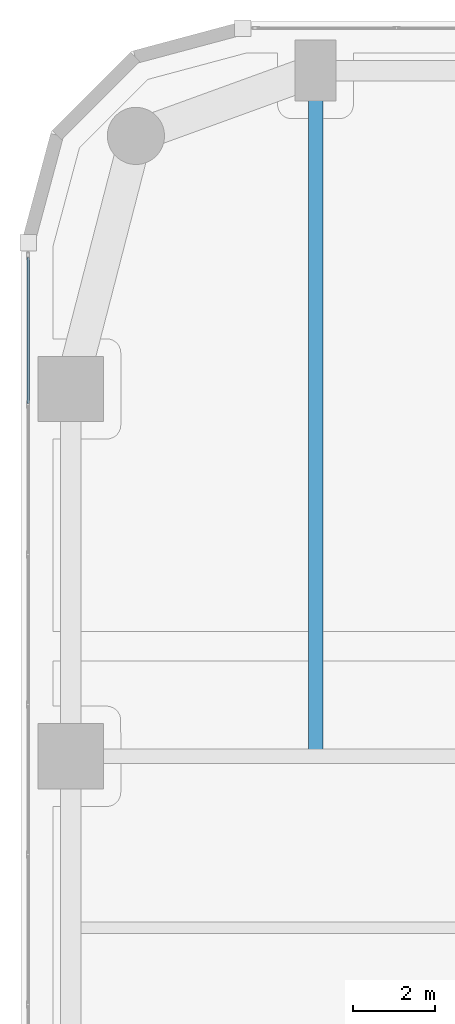
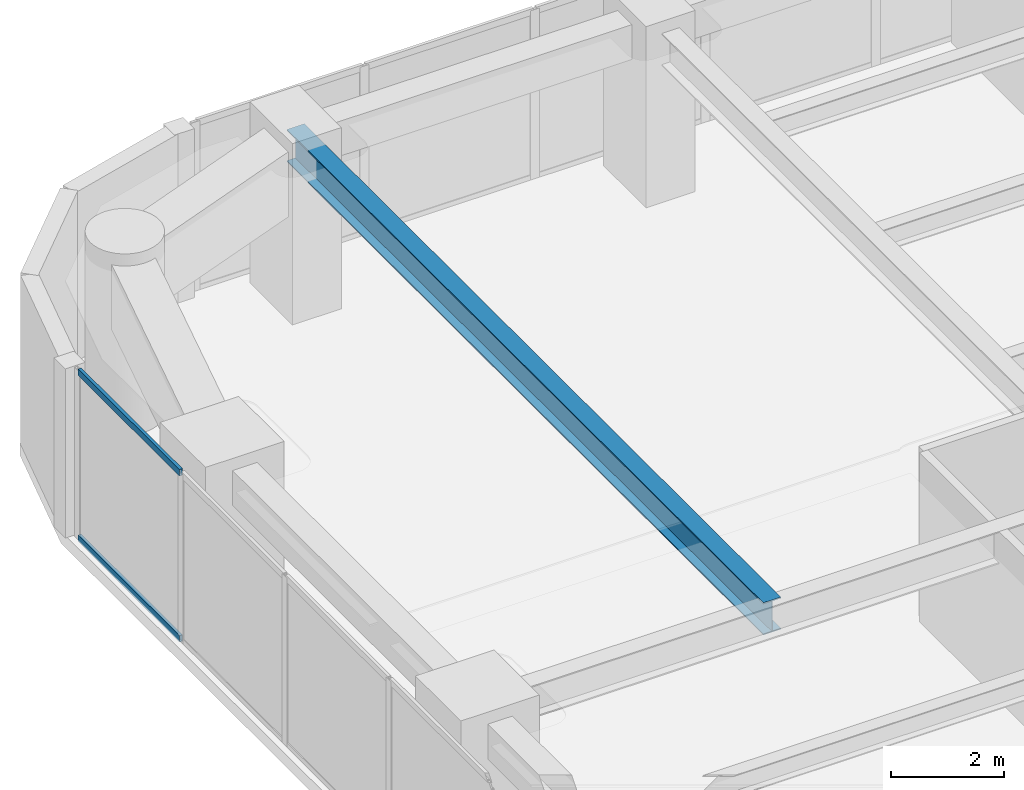
# One storey, part 13 of 29: 2 members, 1 beam, 1 element without a shape of its own.
"""IFC4 building model written with IfcOpenShell, lengths in metres."""

from ifc_helpers import new_model, si_unit, direction, frame, origin, origin_2d, place, context, subcontext, project, spatial, hollow_rectangle, i_section, extrude, material, layer, layer_set, material_profile, profile_set, type_object, element, aggregate, save


model = new_model("IFC4")

# Units and contexts
model_context = context("Model", 3, precision=1e-05, world=origin(), true_north=direction((0.0, 1.0)))
body_context = subcontext(model_context, "Body", "Model", "MODEL_VIEW")
ifc_project = project(units=[si_unit("LENGTHUNIT", "METRE"), si_unit("AREAUNIT", "SQUARE_METRE"), si_unit("VOLUMEUNIT", "CUBIC_METRE"), si_unit("PLANEANGLEUNIT", "RADIAN"), si_unit("MASSUNIT", "GRAM", prefix="KILO")], contexts=[model_context])

# Site, building, storey
site_placement = place(None, origin())
site = spatial("IfcSite", under=ifc_project, at=site_placement, CompositionType="ELEMENT")
building_placement = place(site_placement, origin())
building = spatial("IfcBuilding", under=site, at=building_placement, Name="Kiyonajd Concourse Tower", CompositionType="ELEMENT")
storey_placement = place(building_placement, frame((0.0, 0.0, 52.800048828125)))
storey = spatial("IfcBuildingStorey", under=building, at=storey_placement, Name="L14", CompositionType="ELEMENT", Elevation=52.800048828125)

# Beam
ifc_material_1 = material(Name="Steel ASTM A992 Grade 50", Category="steel")
ifc_material_profile_1 = material_profile(ifc_material_1, i_section(OverallWidth=0.35498046875, OverallDepth=0.695068359375, WebThickness=0.015380859375, FlangeThickness=0.02490234375, at=origin_2d()), Name="W690X217")
ifc_profile_set_1 = profile_set([ifc_material_profile_1], Name="Steel ASTM A992 Grade 50")
beam_type = type_object("IfcBeamType", Name="BM-TWR-690", PredefinedType="BEAM", material=ifc_profile_set_1)
beam_placement = place(storey_placement, frame((25.199951171875, 44.39990234375, 3.29248046875), z_axis=(0.0, 1.0, 0.0), x_axis=(-1.0, 0.0, 0.0)))
element("IfcBeam", 1, at=beam_placement, inside=storey, type_object=beam_type, Name="L14 North Lease Girder", PredefinedType="BEAM", context=body_context, shape_type="SweptSolid", body=[
    extrude(i_section(OverallWidth=0.35498046875, OverallDepth=0.695068359375, WebThickness=0.015380859375, FlangeThickness=0.02490234375, at=origin_2d()), origin(), (0.0, 0.0, 1.0), 16.800048828125),
])

# Curtain wall, members
ifc_material_2 = material(Name="Thermally Broken Anodised Aluminium", Category="aluminium")
ifc_layer = layer(ifc_material_2, 0.179931640625)
ifc_layer_set = layer_set([ifc_layer], Name="Thermally Broken Anodised Aluminium")
curtain_wall_type = type_object("IfcCurtainWallType", Name="CW-SYS-02", PredefinedType="NOTDEFINED", material=ifc_layer_set)
curtain_wall_placement = place(storey_placement, origin())
curtain_wall = element("IfcCurtainWall", 2, at=curtain_wall_placement, inside=storey, type_object=curtain_wall_type, Name="L14 Unitised Curtain Wall CW2", PredefinedType="NOTDEFINED")
ifc_material_profile_2 = material_profile(ifc_material_2, hollow_rectangle(XDim=0.06494140625, YDim=0.139892578125, WallThickness=0.00390625, at=origin_2d()), Name="TRAN-65x140")
ifc_profile_set_2 = profile_set([ifc_material_profile_2], Name="Thermally Broken Anodised Aluminium")
member_type = type_object("IfcMemberType", Name="MB-CW-TRAN1", PredefinedType="USERDEFINED", material=ifc_profile_set_2)
member_1_placement = place(storey_placement, frame((18.159912109375, 53.04833984375, 0.032470703125), z_axis=(0.0, 1.0, 0.0), x_axis=(-1.0, 0.0, 0.0)))
member_1 = element("IfcMember", 3, at=member_1_placement, type_object=member_type, Name="CW2 transom 6.1", ObjectType="TRANSOM", PredefinedType="USERDEFINED", context=body_context, shape_type="SweptSolid", body=[
    extrude(hollow_rectangle(XDim=0.06494140625, YDim=0.139892578125, WallThickness=0.00390625, at=origin_2d()), origin(), (0.0, 0.0, 1.0), 3.575439453125),
])
member_2_placement = place(storey_placement, frame((18.159912109375, 53.04833984375, 3.607421875), z_axis=(0.0, 1.0, 0.0), x_axis=(-1.0, 0.0, 0.0)))
member_2 = element("IfcMember", 4, at=member_2_placement, type_object=member_type, Name="CW2 transom 6.2", ObjectType="TRANSOM", PredefinedType="USERDEFINED", context=body_context, shape_type="SweptSolid", body=[
    extrude(hollow_rectangle(XDim=0.06494140625, YDim=0.139892578125, WallThickness=0.00390625, at=origin_2d()), origin(), (0.0, 0.0, 1.0), 3.575439453125),
])
aggregate(curtain_wall, [member_1, member_2])

save(model, "model.ifc")
